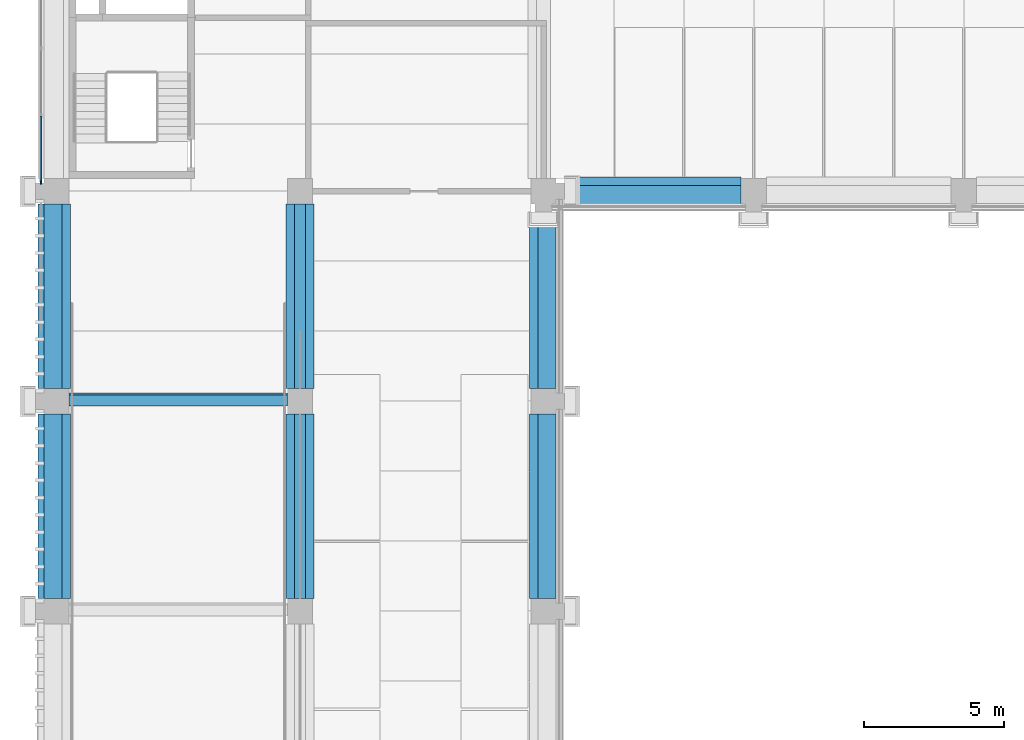
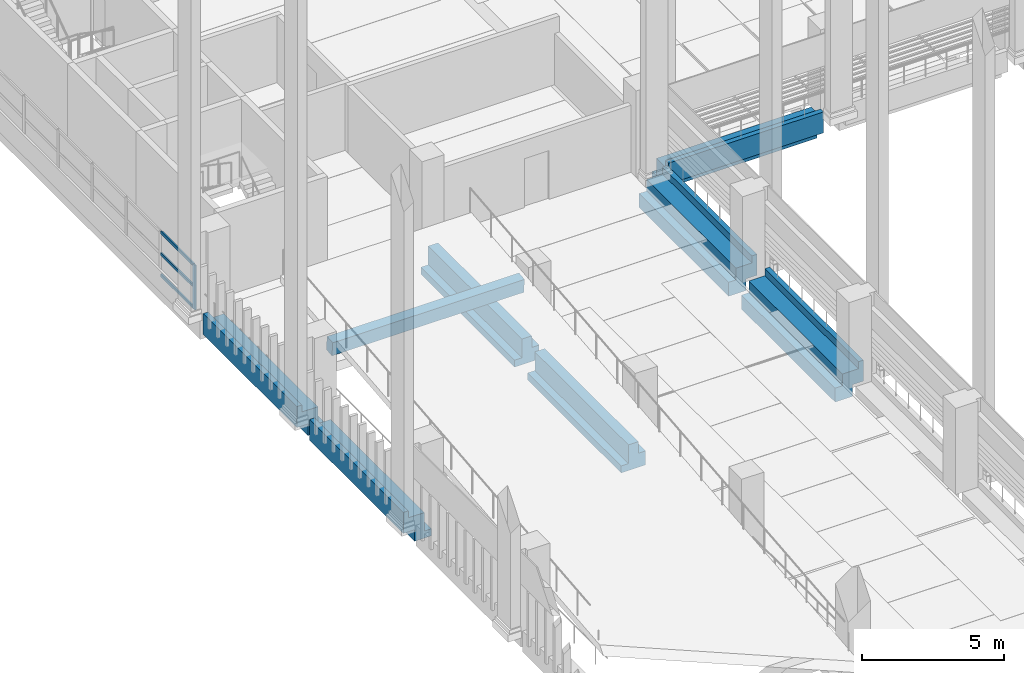
# One storey, part 3 of 67: 8 beams, 4 members, 1 element without a shape of its own.
"""IFC4 building model written with IfcOpenShell, lengths in metres."""

from ifc_helpers import new_model, si_unit, direction, frame, origin, origin_2d, place, context, subcontext, project, spatial, polyline, rectangle, outline, extrude, material, layer, layer_set, material_profile, profile_set, type_object, element, aggregate, save


model = new_model("IFC4")

# Units and contexts
model_context = context("Model", 3, precision=1e-05, world=origin(), true_north=direction((0.0, 1.0)))
body_context = subcontext(model_context, "Body", "Model", "MODEL_VIEW")
ifc_project = project(units=[si_unit("LENGTHUNIT", "METRE"), si_unit("AREAUNIT", "SQUARE_METRE"), si_unit("VOLUMEUNIT", "CUBIC_METRE"), si_unit("PLANEANGLEUNIT", "RADIAN"), si_unit("MASSUNIT", "GRAM", prefix="KILO")], contexts=[model_context])

# Site, building, storey
site_placement = place(None, origin())
site = spatial("IfcSite", under=ifc_project, at=site_placement, CompositionType="ELEMENT")
building_placement = place(site_placement, origin())
building = spatial("IfcBuilding", under=site, at=building_placement, Name="Cour d'Honneur Mobility Palace", CompositionType="ELEMENT")
storey_placement = place(building_placement, frame((0.0, 0.0, 4.5)))
storey = spatial("IfcBuildingStorey", under=building, at=storey_placement, Name="L01", CompositionType="ELEMENT", Elevation=4.5)

# Curtain wall, members
ifc_material_1 = material(Name="Aluminium and glass", Category="aluminium")
ifc_layer = layer(ifc_material_1, 0.10009765625)
ifc_layer_set = layer_set([ifc_layer], Name="Aluminium and glass")
curtain_wall_type = type_object("IfcCurtainWallType", Name="Curtain wall run", PredefinedType="NOTDEFINED", material=ifc_layer_set)
curtain_wall_placement = place(storey_placement, origin())
curtain_wall = element("IfcCurtainWall", 1, at=curtain_wall_placement, inside=storey, type_object=curtain_wall_type, Name="Curtain wall CW-100", PredefinedType="NOTDEFINED")
ifc_material_2 = material(Name="Aluminium", Category="aluminium")
ifc_material_profile_1 = material_profile(ifc_material_2, rectangle(XDim=0.06005859375, YDim=0.159912109375, at=origin_2d()), Name="Curtain wall mullion")
ifc_profile_set_1 = profile_set([ifc_material_profile_1], Name="Aluminium")
member_type_1 = type_object("IfcMemberType", Name="Curtain wall mullion", PredefinedType="MULLION", material=ifc_profile_set_1)
member_1_placement = place(storey_placement, frame((-0.550048828125, 45.330078125, 0.0), z_axis=(0.0, 0.0, 1.0), x_axis=(1.0, 0.0, 0.0)))
member_1 = element("IfcMember", 2, at=member_1_placement, type_object=member_type_1, Name="CW-100 mullion 8", PredefinedType="MULLION", context=body_context, shape_type="SweptSolid", body=[
    extrude(rectangle(XDim=0.06005859375, YDim=0.159912109375, at=origin_2d()), origin(), (0.0, 0.0, 1.0), 1.89990234375),
])
ifc_material_3 = material(Name="Aluminium", Category="aluminium")
ifc_material_profile_2 = material_profile(ifc_material_3, rectangle(XDim=0.06005859375, YDim=0.1201171875, at=origin_2d()), Name="Curtain wall transom")
ifc_profile_set_2 = profile_set([ifc_material_profile_2], Name="Aluminium")
member_type_2 = type_object("IfcMemberType", Name="Curtain wall transom", PredefinedType="USERDEFINED", material=ifc_profile_set_2)
member_2_placement = place(storey_placement, frame((-0.550048828125, 47.669921875, 0.030029296875), z_axis=(0.0, -1.0, 0.0), x_axis=(1.0, 0.0, 0.0)))
member_2 = element("IfcMember", 3, at=member_2_placement, type_object=member_type_2, Name="CW-100 transom 7.1", ObjectType="TRANSOM", PredefinedType="USERDEFINED", context=body_context, shape_type="SweptSolid", body=[
    extrude(rectangle(XDim=0.06005859375, YDim=0.1201171875, at=origin_2d()), origin(), (0.0, 0.0, 1.0), 2.309814453125),
])
member_3_placement = place(storey_placement, frame((-0.550048828125, 47.669921875, 0.949951171875), z_axis=(0.0, -1.0, 0.0), x_axis=(1.0, 0.0, 0.0)))
member_3 = element("IfcMember", 4, at=member_3_placement, type_object=member_type_2, Name="CW-100 transom 7.2", ObjectType="TRANSOM", PredefinedType="USERDEFINED", context=body_context, shape_type="SweptSolid", body=[
    extrude(rectangle(XDim=0.06005859375, YDim=0.1201171875, at=origin_2d()), origin(), (0.0, 0.0, 1.0), 2.309814453125),
])
member_4_placement = place(storey_placement, frame((-0.550048828125, 47.669921875, 1.8701171875), z_axis=(0.0, -1.0, 0.0), x_axis=(1.0, 0.0, 0.0)))
member_4 = element("IfcMember", 5, at=member_4_placement, type_object=member_type_2, Name="CW-100 transom 7.3", ObjectType="TRANSOM", PredefinedType="USERDEFINED", context=body_context, shape_type="SweptSolid", body=[
    extrude(rectangle(XDim=0.06005859375, YDim=0.1201171875, at=origin_2d()), origin(), (0.0, 0.0, 1.0), 2.309814453125),
])
aggregate(curtain_wall, [member_1, member_2, member_3, member_4])

# Beams
ifc_material_4 = material(Name="Concrete C45", Category="concrete")
ifc_material_profile_3 = material_profile(ifc_material_4, outline(polyline([(0.5, -1.10009765625), (0.5, -0.800048828125), (0.199951171875, -0.800048828125), (0.199951171875, 0.0), (-0.199951171875, 0.0), (-0.199951171875, -0.5), (-0.5, -0.5), (-0.5, -1.10009765625), (0.5, -1.10009765625)])), Name="Inverted Tee Beam 400x1100 ledges 300/600 plain")
ifc_profile_set_3 = profile_set([ifc_material_profile_3], Name="Concrete C45")
beam_type_1 = type_object("IfcBeamType", Name="Inverted Tee Beam 400x1100 ledges 300/600 plain", PredefinedType="T_BEAM", material=ifc_profile_set_3)
for number, where, z_axis, x_axis, name in (
    (6, (8.699951171875, 30.449951171875, 0.0), (0.0, 1.0, 0.0), (-1.0, 0.0, 0.0), "Precast beam B11 E-F L01"),
    (7, (8.699951171875, 37.949951171875, 0.0), (0.0, 1.0, 0.0), (-1.0, 0.0, 0.0), "Precast beam B11 F-G L01"),
):
    element("IfcBeam", number, at=place(storey_placement, frame(where, z_axis=z_axis, x_axis=x_axis)), inside=storey, type_object=beam_type_1, Name=name, PredefinedType="T_BEAM", context=body_context, shape_type="SweptSolid", body=[
        extrude(outline(polyline([(0.5, -1.10009765625), (0.5, -0.800048828125), (0.199951171875, -0.800048828125), (0.199951171875, 0.0), (-0.199951171875, 0.0), (-0.199951171875, -0.5), (-0.5, -0.5), (-0.5, -1.10009765625), (0.5, -1.10009765625)])), origin(), (0.0, 0.0, 1.0), 6.60009765625),
    ])
ifc_material_5 = material(Name="Concrete C45", Category="concrete")
ifc_material_profile_4 = material_profile(ifc_material_5, outline(polyline([(0.5, -1.10009765625), (0.5, -0.75), (0.199951171875, -0.75), (0.199951171875, 0.0), (-0.199951171875, 0.0), (-0.449951171875, 0.0), (-0.449951171875, 0.300048828125), (-0.64990234375, 0.300048828125), (-0.64990234375, -0.60009765625), (-0.199951171875, -0.60009765625), (-0.199951171875, -1.10009765625), (0.5, -1.10009765625)])), Name="Ledger Beam 400x1100 ledge left 350 facade right")
ifc_profile_set_4 = profile_set([ifc_material_profile_4], Name="Concrete C45")
beam_type_2 = type_object("IfcBeamType", Name="Ledger Beam 400x1100 ledge left 350 facade right", PredefinedType="BEAM", material=ifc_profile_set_4)
beam_1_placement = place(storey_placement, frame((18.14990234375, 45.0, 0.0), z_axis=(1.0, 0.0, 0.0), x_axis=(0.0, 1.0, 0.0)))
element("IfcBeam", 8, at=beam_1_placement, inside=storey, type_object=beam_type_2, Name="Precast beam B2 2-3 L01", PredefinedType="BEAM", context=body_context, shape_type="SweptSolid", body=[
    extrude(outline(polyline([(0.5, -1.10009765625), (0.5, -0.75), (0.199951171875, -0.75), (0.199951171875, 0.0), (-0.199951171875, 0.0), (-0.449951171875, 0.0), (-0.449951171875, 0.300048828125), (-0.64990234375, 0.300048828125), (-0.64990234375, -0.60009765625), (-0.199951171875, -0.60009765625), (-0.199951171875, -1.10009765625), (0.5, -1.10009765625)])), origin(), (0.0, 0.0, 1.0), 6.300048828125),
])
ifc_material_6 = material(Name="Concrete C45", Category="concrete")
ifc_material_profile_5 = material_profile(ifc_material_6, outline(polyline([(0.5, -1.10009765625), (0.5, -0.5), (0.199951171875, -0.5), (0.199951171875, 0.0), (-0.199951171875, 0.0), (-0.449951171875, 0.0), (-0.449951171875, 0.300048828125), (-0.64990234375, 0.300048828125), (-0.64990234375, -0.60009765625), (-0.199951171875, -0.60009765625), (-0.199951171875, -1.10009765625), (0.5, -1.10009765625)])), Name="Ledger Beam 400x1100 ledge left 600 facade right")
ifc_profile_set_5 = profile_set([ifc_material_profile_5], Name="Concrete C45")
beam_type_3 = type_object("IfcBeamType", Name="Ledger Beam 400x1100 ledge left 600 facade right", PredefinedType="BEAM", material=ifc_profile_set_5)
beam_2_placement = place(storey_placement, frame((17.39990234375, 30.449951171875, 0.0), z_axis=(0.0, 1.0, 0.0), x_axis=(-1.0, 0.0, 0.0)))
element("IfcBeam", 9, at=beam_2_placement, inside=storey, type_object=beam_type_3, Name="Precast beam B12 E-F L01", PredefinedType="BEAM", context=body_context, shape_type="SweptSolid", body=[
    extrude(outline(polyline([(0.5, -1.10009765625), (0.5, -0.5), (0.199951171875, -0.5), (0.199951171875, 0.0), (-0.199951171875, 0.0), (-0.449951171875, 0.0), (-0.449951171875, 0.300048828125), (-0.64990234375, 0.300048828125), (-0.64990234375, -0.60009765625), (-0.199951171875, -0.60009765625), (-0.199951171875, -1.10009765625), (0.5, -1.10009765625)])), origin(), (0.0, 0.0, 1.0), 6.60009765625),
])
beam_3_placement = place(storey_placement, frame((17.39990234375, 37.949951171875, 0.0), z_axis=(0.0, 1.0, 0.0), x_axis=(-1.0, 0.0, 0.0)))
element("IfcBeam", 10, at=beam_3_placement, inside=storey, type_object=beam_type_3, Name="Precast beam B12 F-G L01", PredefinedType="BEAM", context=body_context, shape_type="SweptSolid", body=[
    extrude(outline(polyline([(0.5, -1.10009765625), (0.5, -0.5), (0.199951171875, -0.5), (0.199951171875, 0.0), (-0.199951171875, 0.0), (-0.449951171875, 0.0), (-0.449951171875, 0.300048828125), (-0.64990234375, 0.300048828125), (-0.64990234375, -0.60009765625), (-0.199951171875, -0.60009765625), (-0.199951171875, -1.10009765625), (0.5, -1.10009765625)])), origin(), (0.0, 0.0, 1.0), 6.300048828125),
])
ifc_material_7 = material(Name="Concrete C45", Category="concrete")
ifc_material_profile_6 = material_profile(ifc_material_7, outline(polyline([(0.199951171875, -1.10009765625), (0.199951171875, -0.60009765625), (0.64990234375, -0.60009765625), (0.64990234375, 0.300048828125), (0.449951171875, 0.300048828125), (0.449951171875, 0.0), (0.199951171875, 0.0), (-0.199951171875, 0.0), (-0.199951171875, -0.800048828125), (-0.5, -0.800048828125), (-0.5, -1.10009765625), (0.199951171875, -1.10009765625)])), Name="Ledger Beam 400x1100 ledge right 300 facade left")
ifc_profile_set_6 = profile_set([ifc_material_profile_6], Name="Concrete C45")
beam_type_4 = type_object("IfcBeamType", Name="Ledger Beam 400x1100 ledge right 300 facade left", PredefinedType="BEAM", material=ifc_profile_set_6)
for number, where, z_axis, x_axis, name in (
    (11, (0.0, 30.449951171875, 0.0), (0.0, 1.0, 0.0), (-1.0, 0.0, 0.0), "Precast beam B6 E-F L01"),
    (12, (0.0, 37.949951171875, 0.0), (0.0, 1.0, 0.0), (-1.0, 0.0, 0.0), "Precast beam B6 F-G L01"),
):
    element("IfcBeam", number, at=place(storey_placement, frame(where, z_axis=z_axis, x_axis=x_axis)), inside=storey, type_object=beam_type_4, Name=name, PredefinedType="BEAM", context=body_context, shape_type="SweptSolid", body=[
        extrude(outline(polyline([(0.199951171875, -1.10009765625), (0.199951171875, -0.60009765625), (0.64990234375, -0.60009765625), (0.64990234375, 0.300048828125), (0.449951171875, 0.300048828125), (0.449951171875, 0.0), (0.199951171875, 0.0), (-0.199951171875, 0.0), (-0.199951171875, -0.800048828125), (-0.5, -0.800048828125), (-0.5, -1.10009765625), (0.199951171875, -1.10009765625)])), origin(), (0.0, 0.0, 1.0), 6.60009765625),
    ])
ifc_material_8 = material(Name="Concrete C40", Category="concrete")
ifc_material_profile_7 = material_profile(ifc_material_8, rectangle(XDim=0.39990234375, YDim=0.60009765625, at=origin_2d()), Name="Ramp cross beam 400x600")
ifc_profile_set_7 = profile_set([ifc_material_profile_7], Name="Concrete C40")
beam_type_5 = type_object("IfcBeamType", Name="Ramp cross beam 400x600", PredefinedType="BEAM", material=ifc_profile_set_7)
beam_4_placement = place(storey_placement, frame((0.449951171875, 37.559814453125, 2.7529296875), z_axis=(1.0, 0.0, 0.0), x_axis=(0.0, 0.995037190449, 0.099503716633)))
element("IfcBeam", 13, at=beam_4_placement, inside=storey, type_object=beam_type_5, Name="Ramp cross beam SW.R1-5", PredefinedType="BEAM", context=body_context, shape_type="SweptSolid", body=[
    extrude(rectangle(XDim=0.39990234375, YDim=0.60009765625, at=origin_2d()), origin(), (0.0, 0.0, 1.0), 7.800048828125),
])

save(model, "model.ifc")
